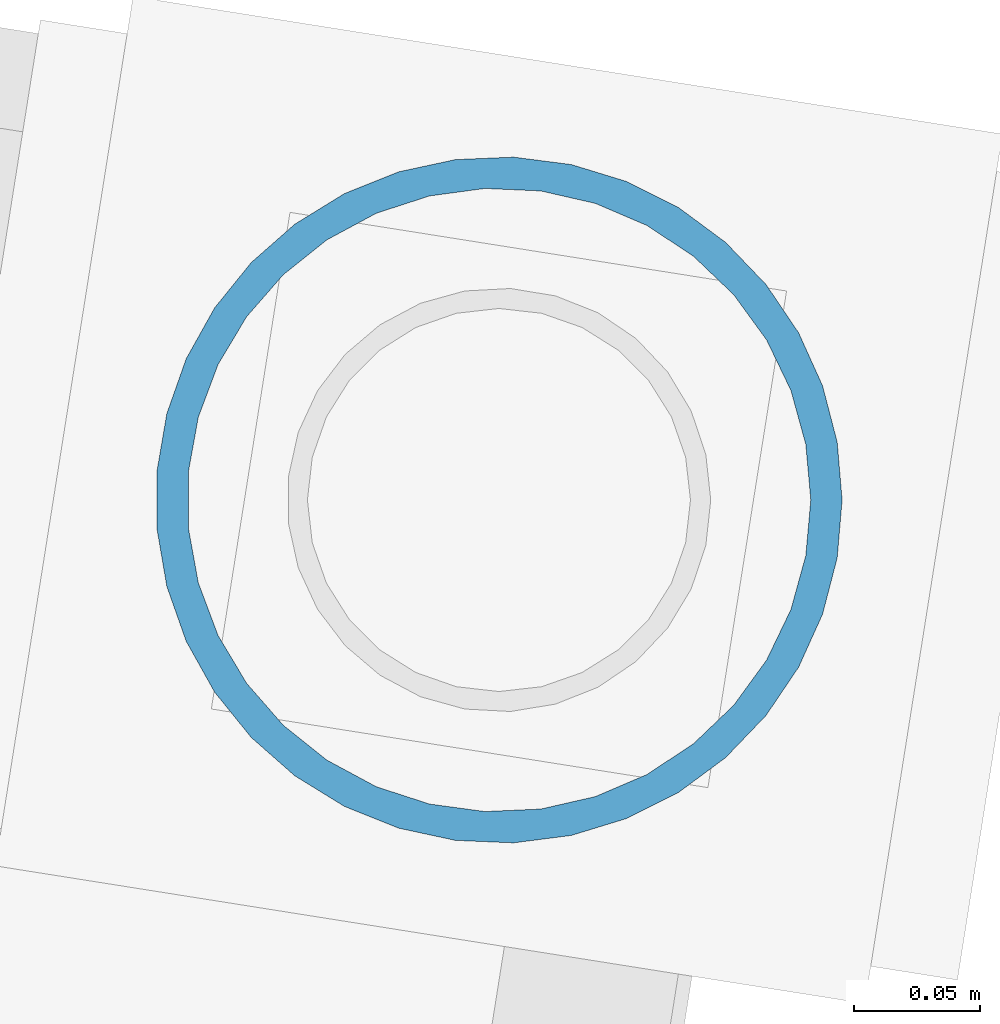
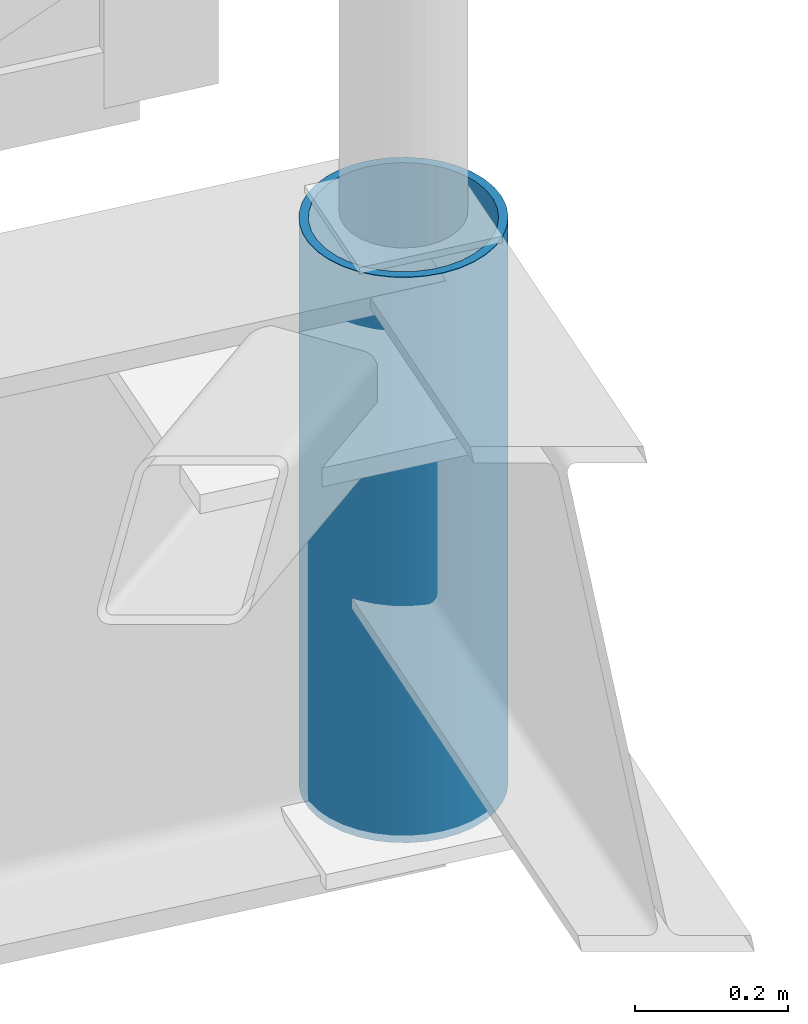
# One storey, part 13 of 65: 1 column.
"""IFC4 building model written with IfcOpenShell, lengths in metres."""

from ifc_helpers import new_model, si_unit, direction, frame, origin, origin_2d, place, context, subcontext, project, spatial, hollow_circle, extrude, material, material_profile, profile_set, type_object, element, save


model = new_model("IFC4")

# Units and contexts
model_context = context("Model", 3, precision=1e-05, world=origin(), true_north=direction((0.0, 1.0)))
body_context = subcontext(model_context, "Body", "Model", "MODEL_VIEW")
ifc_project = project(units=[si_unit("LENGTHUNIT", "METRE"), si_unit("AREAUNIT", "SQUARE_METRE"), si_unit("VOLUMEUNIT", "CUBIC_METRE"), si_unit("PLANEANGLEUNIT", "RADIAN"), si_unit("MASSUNIT", "GRAM", prefix="KILO")], contexts=[model_context])

# Site, building, storey
site_placement = place(None, origin())
site = spatial("IfcSite", under=ifc_project, at=site_placement, CompositionType="ELEMENT")
building_placement = place(site_placement, origin())
building = spatial("IfcBuilding", under=site, at=building_placement, Name="Cinderway Yard Community Centre", CompositionType="ELEMENT")
storey_placement = place(building_placement, frame((0.0, 0.0, 24.300048828125)))
storey = spatial("IfcBuildingStorey", under=building, at=storey_placement, Name="RF", CompositionType="ELEMENT", Elevation=24.300048828125)

# Column
ifc_material = material(Name="Steel S355", Category="steel")
ifc_material_profile = material_profile(ifc_material, hollow_circle(Radius=0.136474609375, WallThickness=0.012451171875, at=origin_2d()), Name="Steel S355")
ifc_profile_set = profile_set([ifc_material_profile], Name="Steel S355")
column_type = type_object("IfcColumnType", Name="STR-POST-CHS273", PredefinedType="PILASTER", material=ifc_profile_set)
column_placement = place(storey_placement, frame((145.717041015625, 74.9189453125, -11.400146484375), z_axis=(0.0, 0.0, 1.0), x_axis=(1.0, 0.0, 0.0)))
element("IfcColumn", 1, at=column_placement, inside=storey, type_object=column_type, Name="Sports Hall roof post E07", PredefinedType="PILASTER", context=body_context, shape_type="SweptSolid", body=[
    extrude(hollow_circle(Radius=0.136474609375, WallThickness=0.012451171875, at=origin_2d()), origin(), (0.0, 0.0, 1.0), 0.900146484375),
])

save(model, "model.ifc")
